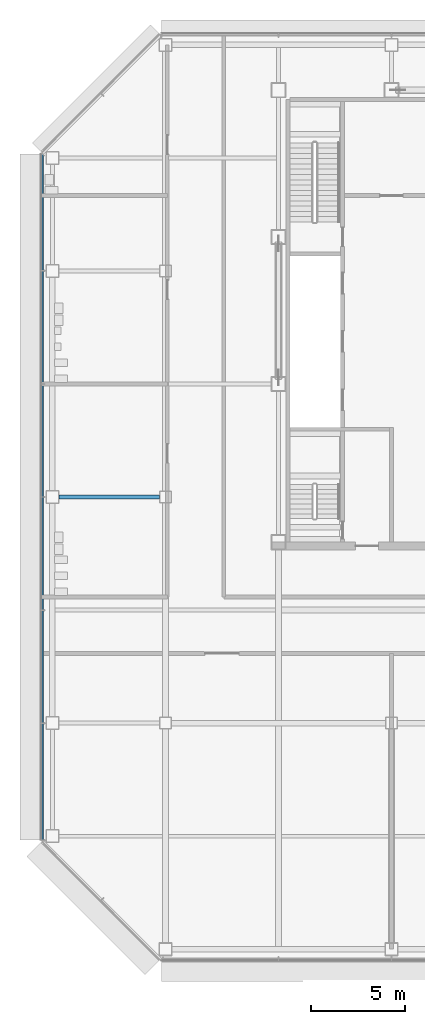
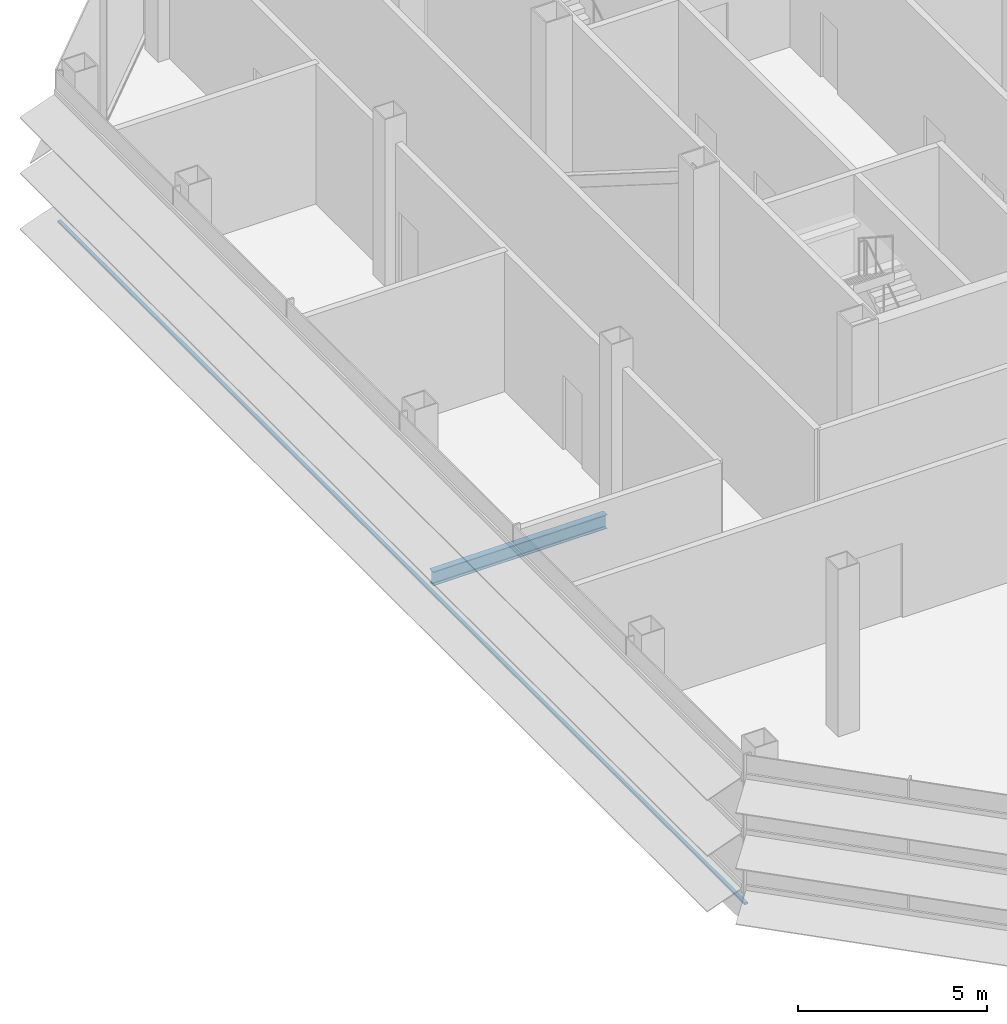
# One storey, part 4 of 24: 1 beam, 1 member, 1 element without a shape of its own.
"""IFC4 building model written with IfcOpenShell, lengths in metres."""

import ifcopenshell
import ifcopenshell.guid

model = None  # the IFC model being written
_history = None  # IfcOwnerHistory: only IFC2X3 demands one
_inside = {}  # id of a spatial element -> (the spatial element, [elements in it])
_under = {}  # id of a project, library or spatial element -> (it, [spatial elements below it])
_declared = {}  # id of a project -> (the project, [libraries it declares])
_typed = {}  # id of a type object -> (the type object, [elements of that type])
_made_of = {}  # id of a material, layer set ... -> (it, [elements and type objects made of it])


def new_model(schema):
    """Start an empty IFC model of exactly this schema.

    Asked for "IFC4X3", IfcOpenShell would pick the latest addendum, in which some entities
    have other attributes; the version numbers below select the first issue.
    IFC2X3 requires an IfcOwnerHistory on every rooted entity: one is made here for all.
    """
    global model, _history
    if schema == "IFC4X3":
        model = ifcopenshell.file(schema_version=(4, 3, 0, 0))
    else:
        model = ifcopenshell.file(schema=schema)
    _inside.clear()
    _under.clear()
    _declared.clear()
    _typed.clear()
    _made_of.clear()
    _history = None
    if model.schema == "IFC2X3":
        org = make("IfcOrganization", Name="unknown")
        user = make(
            "IfcPersonAndOrganization",
            ThePerson=make("IfcPerson", FamilyName="unknown"),
            TheOrganization=org,
        )
        app = make(
            "IfcApplication",
            ApplicationDeveloper=org,
            Version="unknown",
            ApplicationFullName="unknown",
            ApplicationIdentifier="unknown",
        )
        _history = make(
            "IfcOwnerHistory",
            OwningUser=user,
            OwningApplication=app,
            ChangeAction="ADDED",
            CreationDate=0,
        )
    return model


def make(cls, **values):
    """One entity of the class cls with the attributes given. An attribute that is None is left unset."""
    return model.create_entity(
        cls, **{name: value for name, value in values.items() if value is not None}
    )


def rooted(cls, **values):
    """An entity with a GlobalId (a new one), such as an element, a storey or a relation."""
    return make(cls, GlobalId=ifcopenshell.guid.new(), OwnerHistory=_history, **values)


def si_unit(unit_type, name, prefix=None):
    """IfcSIUnit, for example si_unit("LENGTHUNIT", "METRE", prefix="MILLI")."""
    return make("IfcSIUnit", UnitType=unit_type, Prefix=prefix, Name=name)


def assignment(units):
    """IfcUnitAssignment: the units of a project."""
    return None if units is None else make("IfcUnitAssignment", Units=units)


def point(xyz):
    """IfcCartesianPoint."""
    return None if xyz is None else make("IfcCartesianPoint", Coordinates=xyz)


def direction(xyz):
    """IfcDirection."""
    return None if xyz is None else make("IfcDirection", DirectionRatios=xyz)


def frame(location, z_axis=None, x_axis=None):
    """IfcAxis2Placement3D, a coordinate frame: its origin and axes. An axis left out is left unset."""
    return make(
        "IfcAxis2Placement3D",
        Location=point(location),
        Axis=direction(z_axis),
        RefDirection=direction(x_axis),
    )


def frame_2d(location, x_axis=None):
    """IfcAxis2Placement2D, a coordinate frame in the plane: its origin and x axis."""
    return make(
        "IfcAxis2Placement2D", Location=point(location), RefDirection=direction(x_axis)
    )


def origin():
    """The frame at (0, 0, 0) with its axes left unset."""
    return frame((0.0, 0.0, 0.0))


def origin_2d():
    """The frame at (0, 0) in the plane with its x axis left unset."""
    return frame_2d((0.0, 0.0))


def place(relative_to, where):
    """IfcLocalPlacement: puts the frame where relative to a parent placement (None: the world)."""
    return make(
        "IfcLocalPlacement", PlacementRelTo=relative_to, RelativePlacement=where
    )


def context(
    kind, dimensions, precision=None, world=None, true_north=None, identifier=None
):
    """IfcGeometricRepresentationContext, for example the 3D "Model" context."""
    return make(
        "IfcGeometricRepresentationContext",
        ContextIdentifier=identifier,
        ContextType=kind,
        CoordinateSpaceDimension=dimensions,
        Precision=precision,
        WorldCoordinateSystem=world,
        TrueNorth=true_north,
    )


def subcontext(parent, identifier, kind, view, scale=None):
    """IfcGeometricRepresentationSubContext, for example "Body" below "Model"."""
    return make(
        "IfcGeometricRepresentationSubContext",
        ContextIdentifier=identifier,
        ContextType=kind,
        ParentContext=parent,
        TargetScale=scale,
        TargetView=view,
    )


def project(units=None, contexts=None):
    """IfcProject with its units and contexts."""
    return rooted(
        "IfcProject",
        Name="project",
        RepresentationContexts=contexts,
        UnitsInContext=assignment(units),
    )


def spatial(cls, under=None, at=None, **own):
    """A site, building, storey or space (cls), placed at a placement, below another one or the project."""
    s = rooted(cls, ObjectPlacement=at, **own)
    if under is not None:
        _under.setdefault(under.id(), (under, []))[1].append(s)
    return s


def profile(cls, at=None, kind="AREA", **sizes):
    """A parametric profile (cls). Its sizes go by their IFC names, for example OverallWidth=200.0."""
    return make(cls, ProfileType=kind, Position=at, **sizes)


def rectangle(**sizes):
    """IfcRectangleProfileDef."""
    return profile("IfcRectangleProfileDef", **sizes)


def i_section(**sizes):
    """IfcIShapeProfileDef."""
    return profile("IfcIShapeProfileDef", **sizes)


def extrude(swept, where, along, depth):
    """IfcExtrudedAreaSolid: the profile swept, set in the frame where, extruded along a direction by depth."""
    return make(
        "IfcExtrudedAreaSolid",
        SweptArea=swept,
        Position=where,
        ExtrudedDirection=direction(along),
        Depth=depth,
    )


def shape(context_of_items, identifier, shape_type, items):
    """IfcShapeRepresentation: the items that make up one representation, for example the "Body"."""
    return make(
        "IfcShapeRepresentation",
        ContextOfItems=context_of_items,
        RepresentationIdentifier=identifier,
        RepresentationType=shape_type,
        Items=items,
    )


def material(Name=None, Category=None):
    """IfcMaterial."""
    return make("IfcMaterial", Name=Name, Category=Category)


def material_profile(
    of_material, cross_section, Name=None, Category=None, Priority=None
):
    """IfcMaterialProfile: a cross section and its material."""
    return make(
        "IfcMaterialProfile",
        Name=Name,
        Material=of_material,
        Profile=cross_section,
        Priority=Priority,
        Category=Category,
    )


def profile_set(profiles, Name=None, composite=None):
    """IfcMaterialProfileSet."""
    return make(
        "IfcMaterialProfileSet",
        Name=Name,
        MaterialProfiles=profiles,
        CompositeProfile=composite,
    )


def made_of(thing, what):
    """Note that an element or type object is made of a material, layer set ...; save() writes the relation."""
    if what is not None:
        _made_of.setdefault(what.id(), (what, []))[1].append(thing)
    return thing


def type_object(cls, material=None, **own):
    """A type object (cls), such as IfcWallType, which elements share."""
    return made_of(rooted(cls, **own), material)


def element(
    cls,
    number,
    at=None,
    inside=None,
    cuts=None,
    type_object=None,
    material=None,
    context=None,
    identifier="Body",
    shape_type=None,
    held_by="IfcProductDefinitionShape",
    body=None,
    shapes=None,
    **own,
):
    """One element of the class cls, such as IfcWall. Its Tag is "e" and its number.

    at: its placement. inside: the storey or other place that contains it. cuts: it is an
    opening in that element (IfcRelVoidsElement). A single representation is given by context,
    identifier, shape_type and body (its items); several are given by shapes. held_by: the class
    of the entity that holds the representations. save() writes the other relations.
    """
    e = rooted(cls, Tag="e%d" % number, ObjectPlacement=at, **own)
    if body is not None:
        shapes = [shape(context, identifier, shape_type, body)]
    if shapes is not None:
        e.Representation = make(held_by, Representations=shapes)
    if inside is not None:
        _inside.setdefault(inside.id(), (inside, []))[1].append(e)
    if cuts is not None:
        rooted(
            "IfcRelVoidsElement", RelatingBuildingElement=cuts, RelatedOpeningElement=e
        )
    if type_object is not None:
        _typed.setdefault(type_object.id(), (type_object, []))[1].append(e)
    return made_of(e, material)


def aggregate(whole, parts):
    """IfcRelAggregates: a whole, such as a stair, and the parts it consists of."""
    return rooted("IfcRelAggregates", RelatingObject=whole, RelatedObjects=parts)


def save(model, path):
    """Write the relations noted so far, then the file.

    IfcRelAggregates (storeys below a building ...), IfcRelContainedInSpatialStructure (elements
    in a storey), IfcRelDefinesByType, IfcRelAssociatesMaterial and IfcRelDeclares: one each for
    every whole, place, type object, material and project.
    """
    for whole, parts in _under.values():
        aggregate(whole, parts)
    for where, things in _inside.values():
        rooted(
            "IfcRelContainedInSpatialStructure",
            RelatedElements=things,
            RelatingStructure=where,
        )
    for kind, things in _typed.values():
        rooted("IfcRelDefinesByType", RelatedObjects=things, RelatingType=kind)
    for what, things in _made_of.values():
        rooted("IfcRelAssociatesMaterial", RelatedObjects=things, RelatingMaterial=what)
    for by, libraries in _declared.values():
        rooted("IfcRelDeclares", RelatingContext=by, RelatedDefinitions=libraries)
    model.write(path)


model = new_model("IFC4")

# Units and contexts
model_context = context("Model", 3, precision=1e-05, world=origin(), true_north=direction((0.0, 1.0)))
body_context = subcontext(model_context, "Body", "Model", "MODEL_VIEW")
ifc_project = project(units=[si_unit("LENGTHUNIT", "METRE"), si_unit("AREAUNIT", "SQUARE_METRE"), si_unit("VOLUMEUNIT", "CUBIC_METRE"), si_unit("PLANEANGLEUNIT", "RADIAN"), si_unit("MASSUNIT", "GRAM", prefix="KILO")], contexts=[model_context])

# Site, building, storey
site_placement = place(None, origin())
site = spatial("IfcSite", under=ifc_project, at=site_placement, CompositionType="ELEMENT")
building_placement = place(site_placement, origin())
building = spatial("IfcBuilding", under=site, at=building_placement, Name="Sorahane Residences", CompositionType="ELEMENT")
storey_placement = place(building_placement, frame((0.0, 0.0, 161.800048828125)))
storey = spatial("IfcBuildingStorey", under=building, at=storey_placement, Name="L37", CompositionType="ELEMENT", Elevation=161.800048828125)

# Curtain wall, member
ifc_material_1 = material(Name="Dark low-e glass and black anodised aluminium", Category="aluminium")
curtain_wall_type = type_object("IfcCurtainWallType", Name="Curtain wall CW-4 Sky floor frameless wall", PredefinedType="NOTDEFINED", material=ifc_material_1)
curtain_wall_placement = place(storey_placement, origin())
curtain_wall = element("IfcCurtainWall", 1, at=curtain_wall_placement, inside=storey, type_object=curtain_wall_type, Name="CW-4 curtain wall L37 W1", PredefinedType="NOTDEFINED")
ifc_material_2 = material(Name="Black anodised aluminium", Category="aluminium")
ifc_material_profile_1 = material_profile(ifc_material_2, rectangle(XDim=0.10009765625, YDim=0.06005859375, at=origin_2d()), Name="Curtain wall transom CW-4 black anodised aluminium 60x100")
ifc_profile_set_1 = profile_set([ifc_material_profile_1], Name="Black anodised aluminium")
member_type = type_object("IfcMemberType", Name="Curtain wall transom CW-4 black anodised aluminium 60x100", PredefinedType="USERDEFINED", material=ifc_profile_set_1)
member_placement = place(storey_placement, frame((-6.530029296875, 42.198486328125, 0.349853515625), z_axis=(0.0, -1.0, 0.0), x_axis=(1.0, 0.0, 0.0)))
member = element("IfcMember", 2, at=member_placement, type_object=member_type, Name="CW-4 transom L37 W1", ObjectType="TRANSOM", PredefinedType="USERDEFINED", context=body_context, shape_type="SweptSolid", body=[
    extrude(rectangle(XDim=0.10009765625, YDim=0.06005859375, at=origin_2d()), origin(), (0.0, 0.0, 1.0), 36.39697265625),
])
aggregate(curtain_wall, [member])

# Beam
ifc_material_3 = material(Name="Steel Q355B", Category="steel")
ifc_material_profile_2 = material_profile(ifc_material_3, i_section(OverallWidth=0.199951171875, OverallDepth=0.449951171875, WebThickness=0.009033203125, FlangeThickness=0.013916015625, FilletRadius=0.02001953125, at=origin_2d()), Name="HN 450x200x9x14")
ifc_profile_set_2 = profile_set([ifc_material_profile_2], Name="Steel Q355B")
beam_type = type_object("IfcBeamType", Name="Steel floor beam HN 450x200x9x14 Q355B", PredefinedType="BEAM", material=ifc_profile_set_2)
beam_placement = place(storey_placement, frame((-5.64990234375, 24.0, -0.445068359375), z_axis=(1.0, 0.0, 0.0), x_axis=(0.0, 1.0, 0.0)))
element("IfcBeam", 3, at=beam_placement, inside=storey, type_object=beam_type, Name="Beam L37 011", PredefinedType="BEAM", context=body_context, shape_type="SweptSolid", body=[
    extrude(i_section(OverallWidth=0.199951171875, OverallDepth=0.449951171875, WebThickness=0.009033203125, FlangeThickness=0.013916015625, FilletRadius=0.02001953125, at=origin_2d()), origin(), (0.0, 0.0, 1.0), 5.324951171875),
])

save(model, "model.ifc")
